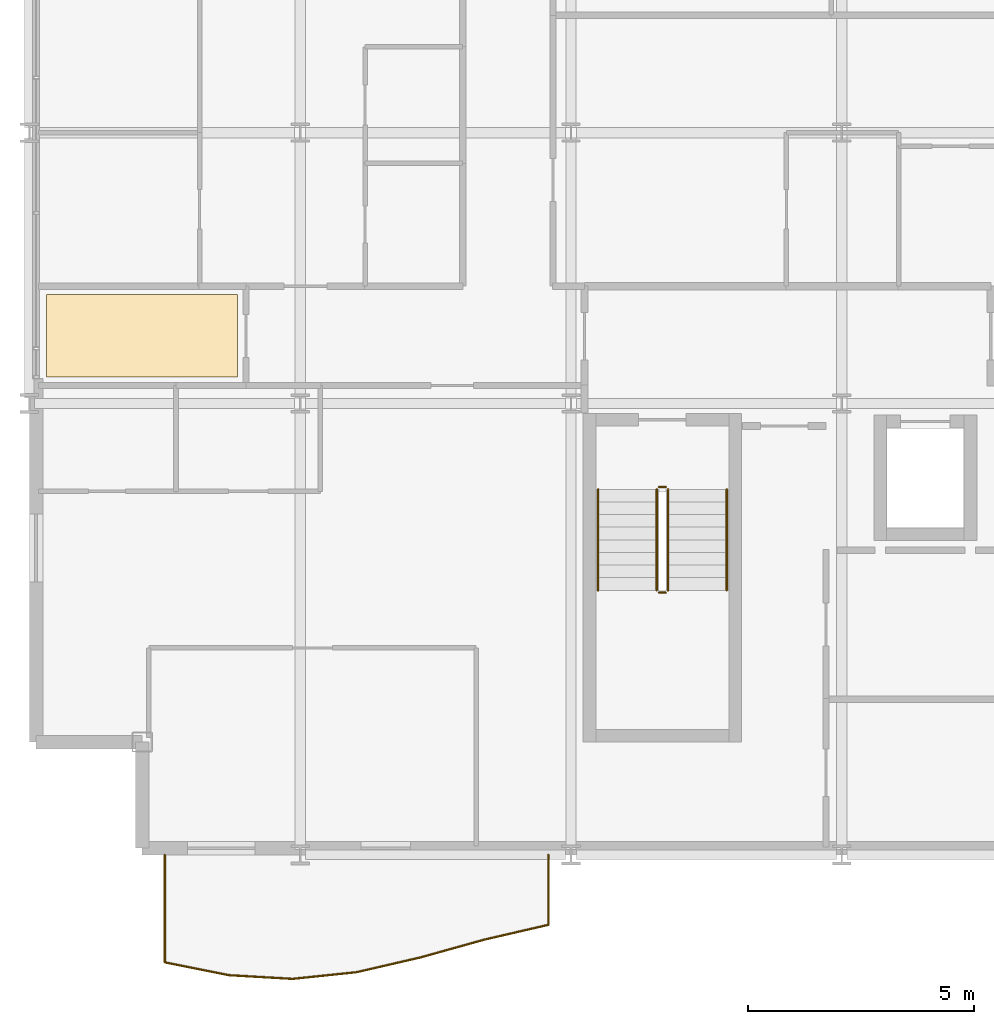
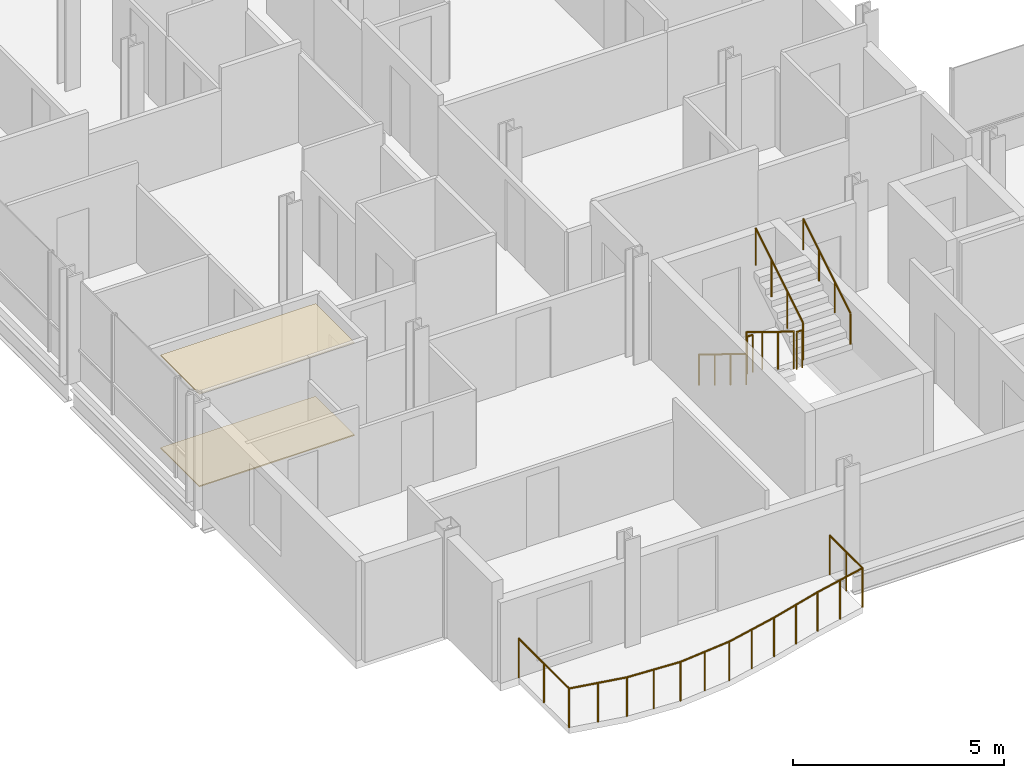
# One storey, part 38 of 40: 7 railings, 2 coverings.
"""IFC4 building model written with IfcOpenShell, lengths in metres."""

import ifcopenshell
import ifcopenshell.guid

model = None  # the IFC model being written
_history = None  # IfcOwnerHistory: only IFC2X3 demands one
_inside = {}  # id of a spatial element -> (the spatial element, [elements in it])
_under = {}  # id of a project, library or spatial element -> (it, [spatial elements below it])
_declared = {}  # id of a project -> (the project, [libraries it declares])
_typed = {}  # id of a type object -> (the type object, [elements of that type])
_made_of = {}  # id of a material, layer set ... -> (it, [elements and type objects made of it])


def new_model(schema):
    """Start an empty IFC model of exactly this schema.

    Asked for "IFC4X3", IfcOpenShell would pick the latest addendum, in which some entities
    have other attributes; the version numbers below select the first issue.
    IFC2X3 requires an IfcOwnerHistory on every rooted entity: one is made here for all.
    """
    global model, _history
    if schema == "IFC4X3":
        model = ifcopenshell.file(schema_version=(4, 3, 0, 0))
    else:
        model = ifcopenshell.file(schema=schema)
    _inside.clear()
    _under.clear()
    _declared.clear()
    _typed.clear()
    _made_of.clear()
    _history = None
    if model.schema == "IFC2X3":
        org = make("IfcOrganization", Name="unknown")
        user = make(
            "IfcPersonAndOrganization",
            ThePerson=make("IfcPerson", FamilyName="unknown"),
            TheOrganization=org,
        )
        app = make(
            "IfcApplication",
            ApplicationDeveloper=org,
            Version="unknown",
            ApplicationFullName="unknown",
            ApplicationIdentifier="unknown",
        )
        _history = make(
            "IfcOwnerHistory",
            OwningUser=user,
            OwningApplication=app,
            ChangeAction="ADDED",
            CreationDate=0,
        )
    return model


def make(cls, **values):
    """One entity of the class cls with the attributes given. An attribute that is None is left unset."""
    return model.create_entity(
        cls, **{name: value for name, value in values.items() if value is not None}
    )


def rooted(cls, **values):
    """An entity with a GlobalId (a new one), such as an element, a storey or a relation."""
    return make(cls, GlobalId=ifcopenshell.guid.new(), OwnerHistory=_history, **values)


def si_unit(unit_type, name, prefix=None):
    """IfcSIUnit, for example si_unit("LENGTHUNIT", "METRE", prefix="MILLI")."""
    return make("IfcSIUnit", UnitType=unit_type, Prefix=prefix, Name=name)


def assignment(units):
    """IfcUnitAssignment: the units of a project."""
    return None if units is None else make("IfcUnitAssignment", Units=units)


def point(xyz):
    """IfcCartesianPoint."""
    return None if xyz is None else make("IfcCartesianPoint", Coordinates=xyz)


def direction(xyz):
    """IfcDirection."""
    return None if xyz is None else make("IfcDirection", DirectionRatios=xyz)


def frame(location, z_axis=None, x_axis=None):
    """IfcAxis2Placement3D, a coordinate frame: its origin and axes. An axis left out is left unset."""
    return make(
        "IfcAxis2Placement3D",
        Location=point(location),
        Axis=direction(z_axis),
        RefDirection=direction(x_axis),
    )


def frame_2d(location, x_axis=None):
    """IfcAxis2Placement2D, a coordinate frame in the plane: its origin and x axis."""
    return make(
        "IfcAxis2Placement2D", Location=point(location), RefDirection=direction(x_axis)
    )


def origin():
    """The frame at (0, 0, 0) with its axes left unset."""
    return frame((0.0, 0.0, 0.0))


def origin_2d():
    """The frame at (0, 0) in the plane with its x axis left unset."""
    return frame_2d((0.0, 0.0))


def place(relative_to, where):
    """IfcLocalPlacement: puts the frame where relative to a parent placement (None: the world)."""
    return make(
        "IfcLocalPlacement", PlacementRelTo=relative_to, RelativePlacement=where
    )


def context(
    kind, dimensions, precision=None, world=None, true_north=None, identifier=None
):
    """IfcGeometricRepresentationContext, for example the 3D "Model" context."""
    return make(
        "IfcGeometricRepresentationContext",
        ContextIdentifier=identifier,
        ContextType=kind,
        CoordinateSpaceDimension=dimensions,
        Precision=precision,
        WorldCoordinateSystem=world,
        TrueNorth=true_north,
    )


def subcontext(parent, identifier, kind, view, scale=None):
    """IfcGeometricRepresentationSubContext, for example "Body" below "Model"."""
    return make(
        "IfcGeometricRepresentationSubContext",
        ContextIdentifier=identifier,
        ContextType=kind,
        ParentContext=parent,
        TargetScale=scale,
        TargetView=view,
    )


def project(units=None, contexts=None):
    """IfcProject with its units and contexts."""
    return rooted(
        "IfcProject",
        Name="project",
        RepresentationContexts=contexts,
        UnitsInContext=assignment(units),
    )


def spatial(cls, under=None, at=None, **own):
    """A site, building, storey or space (cls), placed at a placement, below another one or the project."""
    s = rooted(cls, ObjectPlacement=at, **own)
    if under is not None:
        _under.setdefault(under.id(), (under, []))[1].append(s)
    return s


def polyline(points):
    """IfcPolyline through the points."""
    return make("IfcPolyline", Points=[point(p) for p in points])


def profile(cls, at=None, kind="AREA", **sizes):
    """A parametric profile (cls). Its sizes go by their IFC names, for example OverallWidth=200.0."""
    return make(cls, ProfileType=kind, Position=at, **sizes)


def circle(**sizes):
    """IfcCircleProfileDef."""
    return profile("IfcCircleProfileDef", **sizes)


def outline(outer, holes=None, kind="AREA"):
    """IfcArbitraryClosedProfileDef: a profile drawn as a closed curve; with holes, ...WithVoids."""
    if holes is None:
        return make("IfcArbitraryClosedProfileDef", ProfileType=kind, OuterCurve=outer)
    return make(
        "IfcArbitraryProfileDefWithVoids",
        ProfileType=kind,
        OuterCurve=outer,
        InnerCurves=holes,
    )


def extrude(swept, where, along, depth):
    """IfcExtrudedAreaSolid: the profile swept, set in the frame where, extruded along a direction by depth."""
    return make(
        "IfcExtrudedAreaSolid",
        SweptArea=swept,
        Position=where,
        ExtrudedDirection=direction(along),
        Depth=depth,
    )


def shape(context_of_items, identifier, shape_type, items):
    """IfcShapeRepresentation: the items that make up one representation, for example the "Body"."""
    return make(
        "IfcShapeRepresentation",
        ContextOfItems=context_of_items,
        RepresentationIdentifier=identifier,
        RepresentationType=shape_type,
        Items=items,
    )


def material(Name=None, Category=None):
    """IfcMaterial."""
    return make("IfcMaterial", Name=Name, Category=Category)


def layer(
    of_material, thickness, ventilated=None, Name=None, Category=None, Priority=None
):
    """IfcMaterialLayer: one layer of a wall or slab, of a material (None: an air gap)."""
    return make(
        "IfcMaterialLayer",
        Material=of_material,
        LayerThickness=thickness,
        IsVentilated=ventilated,
        Name=Name,
        Category=Category,
        Priority=Priority,
    )


def layer_set(layers, Name=None):
    """IfcMaterialLayerSet."""
    return make("IfcMaterialLayerSet", MaterialLayers=layers, LayerSetName=Name)


def made_of(thing, what):
    """Note that an element or type object is made of a material, layer set ...; save() writes the relation."""
    if what is not None:
        _made_of.setdefault(what.id(), (what, []))[1].append(thing)
    return thing


def type_object(cls, material=None, **own):
    """A type object (cls), such as IfcWallType, which elements share."""
    return made_of(rooted(cls, **own), material)


def element(
    cls,
    number,
    at=None,
    inside=None,
    cuts=None,
    type_object=None,
    material=None,
    context=None,
    identifier="Body",
    shape_type=None,
    held_by="IfcProductDefinitionShape",
    body=None,
    shapes=None,
    **own,
):
    """One element of the class cls, such as IfcWall. Its Tag is "e" and its number.

    at: its placement. inside: the storey or other place that contains it. cuts: it is an
    opening in that element (IfcRelVoidsElement). A single representation is given by context,
    identifier, shape_type and body (its items); several are given by shapes. held_by: the class
    of the entity that holds the representations. save() writes the other relations.
    """
    e = rooted(cls, Tag="e%d" % number, ObjectPlacement=at, **own)
    if body is not None:
        shapes = [shape(context, identifier, shape_type, body)]
    if shapes is not None:
        e.Representation = make(held_by, Representations=shapes)
    if inside is not None:
        _inside.setdefault(inside.id(), (inside, []))[1].append(e)
    if cuts is not None:
        rooted(
            "IfcRelVoidsElement", RelatingBuildingElement=cuts, RelatedOpeningElement=e
        )
    if type_object is not None:
        _typed.setdefault(type_object.id(), (type_object, []))[1].append(e)
    return made_of(e, material)


def aggregate(whole, parts):
    """IfcRelAggregates: a whole, such as a stair, and the parts it consists of."""
    return rooted("IfcRelAggregates", RelatingObject=whole, RelatedObjects=parts)


def save(model, path):
    """Write the relations noted so far, then the file.

    IfcRelAggregates (storeys below a building ...), IfcRelContainedInSpatialStructure (elements
    in a storey), IfcRelDefinesByType, IfcRelAssociatesMaterial and IfcRelDeclares: one each for
    every whole, place, type object, material and project.
    """
    for whole, parts in _under.values():
        aggregate(whole, parts)
    for where, things in _inside.values():
        rooted(
            "IfcRelContainedInSpatialStructure",
            RelatedElements=things,
            RelatingStructure=where,
        )
    for kind, things in _typed.values():
        rooted("IfcRelDefinesByType", RelatedObjects=things, RelatingType=kind)
    for what, things in _made_of.values():
        rooted("IfcRelAssociatesMaterial", RelatedObjects=things, RelatingMaterial=what)
    for by, libraries in _declared.values():
        rooted("IfcRelDeclares", RelatingContext=by, RelatedDefinitions=libraries)
    model.write(path)


model = new_model("IFC4")

# Units and contexts
model_context = context("Model", 3, precision=1e-05, world=origin(), true_north=direction((0.0, 1.0)))
body_context = subcontext(model_context, "Body", "Model", "MODEL_VIEW")
ifc_project = project(units=[si_unit("LENGTHUNIT", "METRE"), si_unit("AREAUNIT", "SQUARE_METRE"), si_unit("VOLUMEUNIT", "CUBIC_METRE"), si_unit("PLANEANGLEUNIT", "RADIAN"), si_unit("MASSUNIT", "GRAM", prefix="KILO")], contexts=[model_context])

# Site, building, storey
site_placement = place(None, origin())
site = spatial("IfcSite", under=ifc_project, at=site_placement, CompositionType="ELEMENT")
building_placement = place(site_placement, origin())
building = spatial("IfcBuilding", under=site, at=building_placement, Name="Brevholm Reach", CompositionType="ELEMENT")
storey_placement = place(building_placement, frame((0.0, 0.0, 119.0)))
storey = spatial("IfcBuildingStorey", under=building, at=storey_placement, Name="L35", CompositionType="ELEMENT", Elevation=119.0)

# Coverings
ifc_material_1 = material(Name="Moisture-Resistant Skimmed Gypsum Plasterboard Ceiling", Category="gypsum")
ifc_layer_1 = layer(ifc_material_1, 0.030029296875)
ifc_layer_set_1 = layer_set([ifc_layer_1], Name="Moisture-Resistant Skimmed Gypsum Plasterboard Ceiling")
covering_type_1 = type_object("IfcCoveringType", Name="COV-CLG-GYP", PredefinedType="CEILING", material=ifc_layer_set_1)
covering_1_placement = place(storey_placement, frame((0.0, 0.0, 2.679931640625)))
element("IfcCovering", 1, at=covering_1_placement, inside=storey, type_object=covering_type_1, Name="L35 Suspended Ceiling L35-32", PredefinedType="CEILING", context=body_context, shape_type="SweptSolid", body=[
    extrude(outline(polyline([(0.3798828125, 12.419921875), (4.615966796875, 12.419921875), (4.615966796875, 10.583984375), (0.3798828125, 10.583984375), (0.3798828125, 12.419921875)])), origin(), (0.0, 0.0, 1.0), 0.030029296875),
])
ifc_material_2 = material(Name="Honed Portland-Aggregate Resin Terrazzo Flooring", Category="concrete")
ifc_layer_2 = layer(ifc_material_2, 0.031982421875)
ifc_layer_set_2 = layer_set([ifc_layer_2], Name="Honed Portland-Aggregate Resin Terrazzo Flooring")
covering_type_2 = type_object("IfcCoveringType", Name="COV-FLR-TRZ", PredefinedType="FLOORING", material=ifc_layer_set_2)
covering_2_placement = place(storey_placement, origin())
element("IfcCovering", 2, at=covering_2_placement, inside=storey, type_object=covering_type_2, Name="L35 Floor Finish L35-32", PredefinedType="FLOORING", context=body_context, shape_type="SweptSolid", body=[
    extrude(outline(polyline([(0.3798828125, 12.419921875), (4.615966796875, 12.419921875), (4.615966796875, 10.583984375), (0.3798828125, 10.583984375), (0.3798828125, 12.419921875)])), origin(), (0.0, 0.0, 1.0), 0.031982421875),
])

# Railings
ifc_material_3 = material(Name="Brushed Stainless Steel EN 1.4401 and Laminated Glass", Category="steel")
railing_type_1 = type_object("IfcRailingType", Name="RAL-BALC-1150", PredefinedType="BALUSTRADE", material=ifc_material_3)
railing_1_placement = place(storey_placement, frame((3.0, 0.0, 0.0)))
element("IfcRailing", 3, at=railing_1_placement, inside=storey, type_object=railing_type_1, Name="L35 Guard Balustrade RAL-L35-BAL-SW", PredefinedType="BALUSTRADE", context=body_context, shape_type="SweptSolid", body=[
    extrude(circle(Radius=0.02392578125, at=origin_2d()), frame((0.0, 0.0, 1.1259765625), z_axis=(0.0, -1.0, 0.0), x_axis=(1.0, 0.0, 0.0)), (0.0, 0.0, 1.0), 2.38134765625),
    extrude(circle(Radius=0.02392578125, at=origin_2d()), frame((0.0, -2.38134765625, 1.1259765625), z_axis=(0.980502614423, -0.196506038355, 0.0), x_axis=(0.196506038355, 0.980502614423, 0.0)), (0.0, 0.0, 1.0), 1.44482421875),
    extrude(circle(Radius=0.02392578125, at=origin_2d()), frame((1.416748046875, -2.665283203125, 1.1259765625), z_axis=(0.998327360231, -0.057814200799, 0.0), x_axis=(0.057814200799, 0.998327360231, 0.0)), (0.0, 0.0, 1.0), 1.4189453125),
    extrude(circle(Radius=0.02392578125, at=origin_2d()), frame((2.833251953125, -2.747314453125, 1.1259765625), z_axis=(0.994609205974, 0.103694394212, 0.0), x_axis=(-0.103694394212, 0.994609205974, 0.0)), (0.0, 0.0, 1.0), 1.42431640625),
    extrude(circle(Radius=0.02392578125, at=origin_2d()), frame((4.25, -2.599609375, 1.1259765625), z_axis=(0.974360057668, 0.224994395533, 0.0), x_axis=(-0.224994395533, 0.974360057668, 0.0)), (0.0, 0.0, 1.0), 1.4541015625),
    extrude(circle(Radius=0.02392578125, at=origin_2d()), frame((5.666748046875, -2.2724609375, 1.1259765625), z_axis=(0.963289212232, 0.268465814578, 0.0), x_axis=(-0.268465814578, 0.963289212232, 0.0)), (0.0, 0.0, 1.0), 1.470458984375),
    extrude(circle(Radius=0.02392578125, at=origin_2d()), frame((7.083251953125, -1.877685546875, 1.1259765625), z_axis=(0.974323236677, 0.225153792932, 0.0), x_axis=(-0.225153792932, 0.974323236677, 0.0)), (0.0, 0.0, 1.0), 1.4541015625),
    extrude(circle(Radius=0.02392578125, at=origin_2d()), frame((8.5, -1.55029296875, 1.1259765625), z_axis=(0.0, 1.0, 0.0), x_axis=(-1.0, 0.0, 0.0)), (0.0, 0.0, 1.0), 1.55029296875),
    extrude(circle(Radius=0.02099609375, at=origin_2d()), origin(), (0.0, 0.0, 1.0), 1.101806640625),
    extrude(circle(Radius=0.02099609375, at=origin_2d()), frame((0.0, -1.190673828125, 0.0)), (0.0, 0.0, 1.0), 1.101806640625),
    extrude(circle(Radius=0.02099609375, at=origin_2d()), frame((0.0, -2.38134765625, 0.0)), (0.0, 0.0, 1.0), 1.101806640625),
    extrude(circle(Radius=0.02099609375, at=origin_2d()), frame((0.70849609375, -2.5234375, 0.0)), (0.0, 0.0, 1.0), 1.101806640625),
    extrude(circle(Radius=0.02099609375, at=origin_2d()), frame((1.416748046875, -2.665283203125, 0.0)), (0.0, 0.0, 1.0), 1.101806640625),
    extrude(circle(Radius=0.02099609375, at=origin_2d()), frame((2.125, -2.706298828125, 0.0)), (0.0, 0.0, 1.0), 1.101806640625),
    extrude(circle(Radius=0.02099609375, at=origin_2d()), frame((2.833251953125, -2.747314453125, 0.0)), (0.0, 0.0, 1.0), 1.101806640625),
    extrude(circle(Radius=0.02099609375, at=origin_2d()), frame((3.54150390625, -2.67333984375, 0.0)), (0.0, 0.0, 1.0), 1.101806640625),
    extrude(circle(Radius=0.02099609375, at=origin_2d()), frame((4.25, -2.599609375, 0.0)), (0.0, 0.0, 1.0), 1.101806640625),
    extrude(circle(Radius=0.02099609375, at=origin_2d()), frame((4.95849609375, -2.43603515625, 0.0)), (0.0, 0.0, 1.0), 1.101806640625),
    extrude(circle(Radius=0.02099609375, at=origin_2d()), frame((5.666748046875, -2.2724609375, 0.0)), (0.0, 0.0, 1.0), 1.101806640625),
    extrude(circle(Radius=0.02099609375, at=origin_2d()), frame((6.375, -2.0751953125, 0.0)), (0.0, 0.0, 1.0), 1.101806640625),
    extrude(circle(Radius=0.02099609375, at=origin_2d()), frame((7.083251953125, -1.877685546875, 0.0)), (0.0, 0.0, 1.0), 1.101806640625),
    extrude(circle(Radius=0.02099609375, at=origin_2d()), frame((7.79150390625, -1.7138671875, 0.0)), (0.0, 0.0, 1.0), 1.101806640625),
    extrude(circle(Radius=0.02099609375, at=origin_2d()), frame((8.5, -1.55029296875, 0.0)), (0.0, 0.0, 1.0), 1.101806640625),
    extrude(circle(Radius=0.02099609375, at=origin_2d()), frame((8.5, -0.775146484375, 0.0)), (0.0, 0.0, 1.0), 1.101806640625),
    extrude(circle(Radius=0.02099609375, at=origin_2d()), frame((8.5, 0.0, 0.0)), (0.0, 0.0, 1.0), 1.101806640625),
])
ifc_material_4 = material(Name="Brushed Stainless Steel EN 1.4401 Continuous Handrail", Category="steel")
railing_type_2 = type_object("IfcRailingType", Name="RAL-HND-950", PredefinedType="HANDRAIL", material=ifc_material_4)
railing_2_placement = place(storey_placement, frame((12.60009765625, 8.10009765625, 0.172119140625)))
element("IfcRailing", 4, at=railing_2_placement, inside=storey, type_object=railing_type_2, Name="L35 ST-1 stair handrail 1", PredefinedType="HANDRAIL", context=body_context, shape_type="SweptSolid", body=[
    extrude(circle(Radius=0.02392578125, at=origin_2d()), frame((0.0, 0.0, 0.8857421875), z_axis=(0.0, -0.851747552033, 0.523952390591), x_axis=(1.0, 0.0, 0.0)), (0.0, 0.0, 1.0), 2.6298828125),
    extrude(circle(Radius=0.02099609375, at=origin_2d()), origin(), (0.0, 0.0, 1.0), 0.86181640625),
    extrude(circle(Radius=0.02099609375, at=origin_2d()), frame((0.0, -0.74658203125, 0.459228515625)), (0.0, 0.0, 1.0), 0.86181640625),
    extrude(circle(Radius=0.02099609375, at=origin_2d()), frame((0.0, -1.493408203125, 0.918701171875)), (0.0, 0.0, 1.0), 0.86181640625),
    extrude(circle(Radius=0.02099609375, at=origin_2d()), frame((0.0, -2.239990234375, 1.3779296875)), (0.0, 0.0, 1.0), 0.86181640625),
])
railing_3_placement = place(storey_placement, frame((15.449951171875, 5.860107421875, 1.72216796875)))
element("IfcRailing", 5, at=railing_3_placement, inside=storey, type_object=railing_type_2, Name="L35 ST-1 stair handrail 2", PredefinedType="HANDRAIL", context=body_context, shape_type="SweptSolid", body=[
    extrude(circle(Radius=0.02392578125, at=origin_2d()), frame((0.0, 0.0, 0.8857421875), z_axis=(0.0, 0.851747552033, 0.523952390591), x_axis=(-1.0, 0.0, 0.0)), (0.0, 0.0, 1.0), 2.6298828125),
    extrude(circle(Radius=0.02099609375, at=origin_2d()), origin(), (0.0, 0.0, 1.0), 0.86181640625),
    extrude(circle(Radius=0.02099609375, at=origin_2d()), frame((0.0, 0.74658203125, 0.459228515625)), (0.0, 0.0, 1.0), 0.86181640625),
    extrude(circle(Radius=0.02099609375, at=origin_2d()), frame((0.0, 1.493408203125, 0.918701171875)), (0.0, 0.0, 1.0), 0.86181640625),
    extrude(circle(Radius=0.02099609375, at=origin_2d()), frame((0.0, 2.239990234375, 1.3779296875)), (0.0, 0.0, 1.0), 0.86181640625),
])
ifc_material_5 = material(Name="Painted Tubular Galvanised Steel S275JR Stair Guard", Category="steel")
railing_type_3 = type_object("IfcRailingType", Name="RAL-STG-1120", PredefinedType="BALUSTRADE", material=ifc_material_5)
railing_4_placement = place(storey_placement, frame((13.89990234375, 8.10009765625, 0.172119140625)))
element("IfcRailing", 6, at=railing_4_placement, inside=storey, type_object=railing_type_3, Name="L35 ST-1 stair guard 1", PredefinedType="BALUSTRADE", context=body_context, shape_type="SweptSolid", body=[
    extrude(circle(Radius=0.02392578125, at=origin_2d()), frame((0.0, 0.0, 1.076171875), z_axis=(0.0, -0.851747552033, 0.523952390591), x_axis=(1.0, 0.0, 0.0)), (0.0, 0.0, 1.0), 2.6298828125),
    extrude(circle(Radius=0.02099609375, at=origin_2d()), origin(), (0.0, 0.0, 1.0), 1.052001953125),
    extrude(circle(Radius=0.02099609375, at=origin_2d()), frame((0.0, -0.74658203125, 0.459228515625)), (0.0, 0.0, 1.0), 1.052001953125),
    extrude(circle(Radius=0.02099609375, at=origin_2d()), frame((0.0, -1.493408203125, 0.918701171875)), (0.0, 0.0, 1.0), 1.052001953125),
    extrude(circle(Radius=0.02099609375, at=origin_2d()), frame((0.0, -2.239990234375, 1.3779296875)), (0.0, 0.0, 1.0), 1.052001953125),
])
railing_5_placement = place(storey_placement, frame((13.949951171875, 5.81005859375, 1.550048828125)))
element("IfcRailing", 7, at=railing_5_placement, inside=storey, type_object=railing_type_3, Name="L35 ST-1 stair guard 2", PredefinedType="BALUSTRADE", context=body_context, shape_type="SweptSolid", body=[
    extrude(circle(Radius=0.02392578125, at=origin_2d()), frame((0.0, 0.0, 1.076171875), z_axis=(1.0, 0.0, 0.0), x_axis=(0.0, 1.0, 0.0)), (0.0, 0.0, 1.0), 0.150146484375),
    extrude(circle(Radius=0.02099609375, at=origin_2d()), origin(), (0.0, 0.0, 1.0), 1.052001953125),
    extrude(circle(Radius=0.02099609375, at=origin_2d()), frame((0.150146484375, 0.0, 0.0)), (0.0, 0.0, 1.0), 1.052001953125),
])
railing_6_placement = place(storey_placement, frame((14.14990234375, 5.860107421875, 1.72216796875)))
element("IfcRailing", 8, at=railing_6_placement, inside=storey, type_object=railing_type_3, Name="L35 ST-1 stair guard 3", PredefinedType="BALUSTRADE", context=body_context, shape_type="SweptSolid", body=[
    extrude(circle(Radius=0.02392578125, at=origin_2d()), frame((0.0, 0.0, 1.076171875), z_axis=(0.0, 0.851747552033, 0.523952390591), x_axis=(-1.0, 0.0, 0.0)), (0.0, 0.0, 1.0), 2.6298828125),
    extrude(circle(Radius=0.02099609375, at=origin_2d()), origin(), (0.0, 0.0, 1.0), 1.052001953125),
    extrude(circle(Radius=0.02099609375, at=origin_2d()), frame((0.0, 0.74658203125, 0.459228515625)), (0.0, 0.0, 1.0), 1.052001953125),
    extrude(circle(Radius=0.02099609375, at=origin_2d()), frame((0.0, 1.493408203125, 0.918701171875)), (0.0, 0.0, 1.0), 1.052001953125),
    extrude(circle(Radius=0.02099609375, at=origin_2d()), frame((0.0, 2.239990234375, 1.3779296875)), (0.0, 0.0, 1.0), 1.052001953125),
])
railing_7_placement = place(storey_placement, frame((13.949951171875, 8.14990234375, 0.0)))
element("IfcRailing", 9, at=railing_7_placement, inside=storey, type_object=railing_type_3, Name="L35 ST-1 stair guard 4", PredefinedType="BALUSTRADE", context=body_context, shape_type="SweptSolid", body=[
    extrude(circle(Radius=0.02392578125, at=origin_2d()), frame((0.0, 0.0, 1.076171875), z_axis=(1.0, 0.0, 0.0), x_axis=(0.0, 1.0, 0.0)), (0.0, 0.0, 1.0), 0.150146484375),
    extrude(circle(Radius=0.02099609375, at=origin_2d()), origin(), (0.0, 0.0, 1.0), 1.052001953125),
    extrude(circle(Radius=0.02099609375, at=origin_2d()), frame((0.150146484375, 0.0, 0.0)), (0.0, 0.0, 1.0), 1.052001953125),
])

save(model, "model.ifc")
